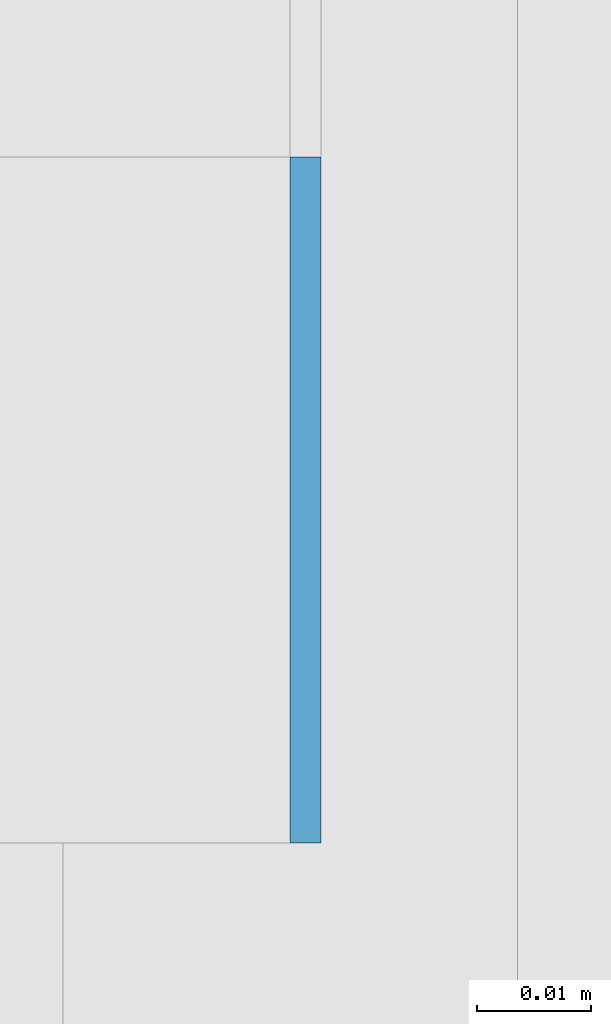
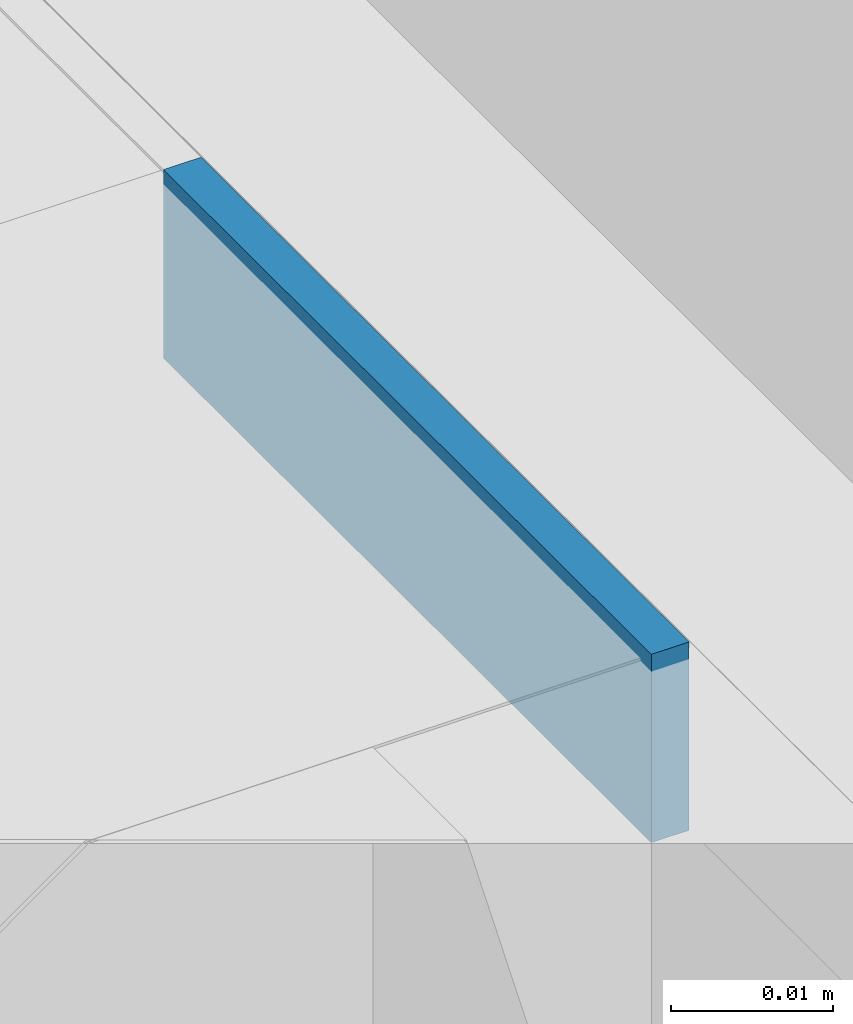
# One storey, part 425 of 646: 1 discrete accessory.
"""IFC4 building model written with IfcOpenShell, lengths in metres."""

from ifc_helpers import new_model, si_unit, direction, frame, origin, origin_2d, place, context, subcontext, project, spatial, rectangle, extrude, material, type_object, element, save


model = new_model("IFC4")

# Units and contexts
model_context = context("Model", 3, precision=1e-05, world=origin(), true_north=direction((0.0, 1.0)))
body_context = subcontext(model_context, "Body", "Model", "MODEL_VIEW")
ifc_project = project(units=[si_unit("LENGTHUNIT", "METRE"), si_unit("AREAUNIT", "SQUARE_METRE"), si_unit("VOLUMEUNIT", "CUBIC_METRE"), si_unit("PLANEANGLEUNIT", "RADIAN"), si_unit("MASSUNIT", "GRAM", prefix="KILO")], contexts=[model_context])

# Site, building, storey
site_placement = place(None, origin())
site = spatial("IfcSite", under=ifc_project, at=site_placement, CompositionType="ELEMENT")
building_placement = place(site_placement, origin())
building = spatial("IfcBuilding", under=site, at=building_placement, Name="Silverbay Arena", CompositionType="ELEMENT")
storey_placement = place(building_placement, frame((0.0, 0.0, 33.5)))
storey = spatial("IfcBuildingStorey", under=building, at=storey_placement, Name="L05", CompositionType="ELEMENT", Elevation=33.5)

# Discrete accessory
ifc_material = material(Name="Steel S355", Category="steel")
discrete_accessory_type = type_object("IfcDiscreteAccessoryType", Name="Steel bracket plate", PredefinedType="BRACKET", material=ifc_material)
discrete_accessory_placement = place(storey_placement, frame((53.871337890625, 134.570068359375, 12.98583984375), z_axis=(0.0, 0.0, 1.0), x_axis=(1.0, 0.0, 0.0)))
element("IfcDiscreteAccessory", 1, at=discrete_accessory_placement, inside=storey, type_object=discrete_accessory_type, Name="Curtain wall packing plate", PredefinedType="BRACKET", context=body_context, shape_type="SweptSolid", body=[
    extrude(rectangle(XDim=0.002685546875, YDim=0.06005859375, at=origin_2d()), origin(), (0.0, 0.0, 1.0), 0.01416015625),
])

save(model, "model.ifc")
